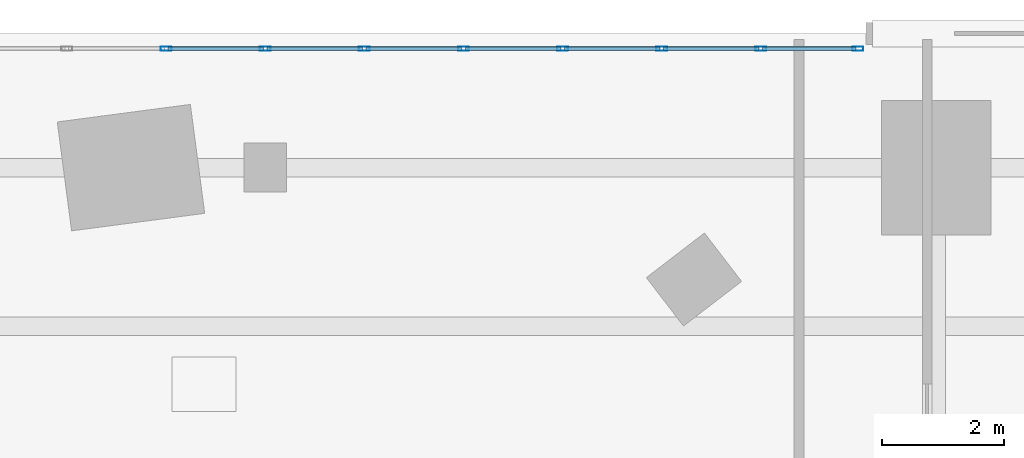
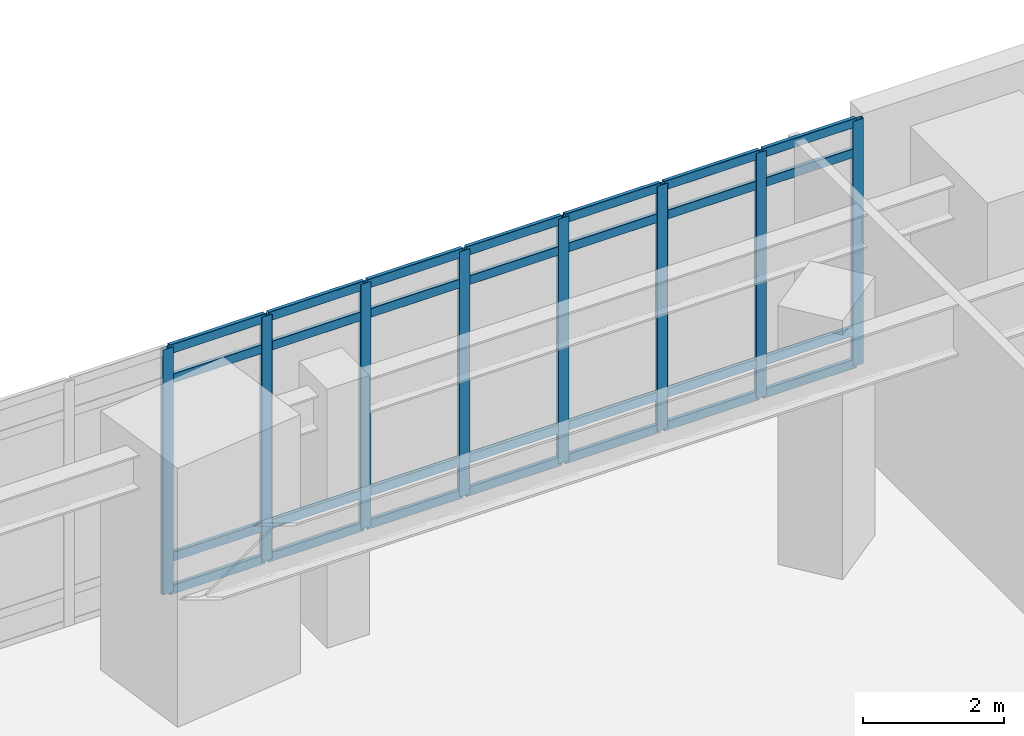
# One storey, part 10 of 20: 36 members, 1 element without a shape of its own.
"""IFC4 building model written with IfcOpenShell, lengths in metres."""

from ifc_helpers import new_model, si_unit, direction, frame, origin, origin_2d, place, context, subcontext, project, spatial, hollow_rectangle, extrude, material, layer, layer_set, material_profile, profile_set, type_object, element, aggregate, save


model = new_model("IFC4")

# Units and contexts
model_context = context("Model", 3, precision=1e-05, world=origin(), true_north=direction((0.0, 1.0)))
body_context = subcontext(model_context, "Body", "Model", "MODEL_VIEW")
ifc_project = project(units=[si_unit("LENGTHUNIT", "METRE"), si_unit("AREAUNIT", "SQUARE_METRE"), si_unit("VOLUMEUNIT", "CUBIC_METRE"), si_unit("PLANEANGLEUNIT", "RADIAN"), si_unit("MASSUNIT", "GRAM", prefix="KILO")], contexts=[model_context])

# Site, building, storey
site_placement = place(None, origin())
site = spatial("IfcSite", under=ifc_project, at=site_placement, CompositionType="ELEMENT")
building_placement = place(site_placement, origin())
building = spatial("IfcBuilding", under=site, at=building_placement, Name="Ndelora Gate Hotel", CompositionType="ELEMENT")
storey_placement = place(building_placement, frame((0.0, 0.0, 26.0)))
storey = spatial("IfcBuildingStorey", under=building, at=storey_placement, Name="L05", CompositionType="ELEMENT", Elevation=26.0)

# Curtain wall, members
ifc_material_1 = material(Name="Bronze Anodised Unitised Aluminium and Low-E Glass", Category="aluminium")
ifc_layer = layer(ifc_material_1, 0.219970703125)
ifc_layer_set = layer_set([ifc_layer], Name="Bronze Anodised Unitised Aluminium and Low-E Glass")
curtain_wall_type = type_object("IfcCurtainWallType", Name="CW-SYS-2", PredefinedType="NOTDEFINED", material=ifc_layer_set)
curtain_wall_placement = place(storey_placement, origin())
curtain_wall = element("IfcCurtainWall", 1, at=curtain_wall_placement, inside=storey, type_object=curtain_wall_type, Name="L05 North Banquet Pre-Function Curtain Wall CW2", PredefinedType="NOTDEFINED")
ifc_material_2 = material(Name="Bronze Anodised Aluminium 6063-T6", Category="aluminium")
ifc_material_profile_1 = material_profile(ifc_material_2, hollow_rectangle(XDim=0.070068359375, YDim=0.179931640625, WallThickness=0.0048828125, InnerFilletRadius=0.0048828125, OuterFilletRadius=0.010009765625, at=origin_2d()), Name="ALU 180x70x5")
ifc_profile_set_1 = profile_set([ifc_material_profile_1], Name="Bronze Anodised Aluminium 6063-T6")
member_type_1 = type_object("IfcMemberType", Name="MB-CW-MUL180", PredefinedType="MULLION", material=ifc_profile_set_1)
member_1_placement = place(storey_placement, frame((9.715087890625, 20.75, -0.00390625), z_axis=(0.0, 0.0, 1.0), x_axis=(0.0, -1.0, 0.0)))
member_1 = element("IfcMember", 2, at=member_1_placement, type_object=member_type_1, Name="CW2 mullion 1", PredefinedType="MULLION", context=body_context, shape_type="SweptSolid", body=[
    extrude(hollow_rectangle(XDim=0.070068359375, YDim=0.179931640625, WallThickness=0.0048828125, InnerFilletRadius=0.0048828125, OuterFilletRadius=0.010009765625, at=origin_2d()), origin(), (0.0, 0.0, 1.0), 4.2578125),
])
member_2_placement = place(storey_placement, frame((8.125, 20.75, -0.00390625), z_axis=(0.0, 0.0, 1.0), x_axis=(0.0, -1.0, 0.0)))
member_2 = element("IfcMember", 3, at=member_2_placement, type_object=member_type_1, Name="CW2 mullion 2", PredefinedType="MULLION", context=body_context, shape_type="SweptSolid", body=[
    extrude(hollow_rectangle(XDim=0.070068359375, YDim=0.179931640625, WallThickness=0.0048828125, InnerFilletRadius=0.0048828125, OuterFilletRadius=0.010009765625, at=origin_2d()), origin(), (0.0, 0.0, 1.0), 4.2578125),
])
member_3_placement = place(storey_placement, frame((6.5, 20.75, -0.00390625), z_axis=(0.0, 0.0, 1.0), x_axis=(0.0, -1.0, 0.0)))
member_3 = element("IfcMember", 4, at=member_3_placement, type_object=member_type_1, Name="CW2 mullion 3", PredefinedType="MULLION", context=body_context, shape_type="SweptSolid", body=[
    extrude(hollow_rectangle(XDim=0.070068359375, YDim=0.179931640625, WallThickness=0.0048828125, InnerFilletRadius=0.0048828125, OuterFilletRadius=0.010009765625, at=origin_2d()), origin(), (0.0, 0.0, 1.0), 4.2578125),
])
member_4_placement = place(storey_placement, frame((4.875, 20.75, -0.00390625), z_axis=(0.0, 0.0, 1.0), x_axis=(0.0, -1.0, 0.0)))
member_4 = element("IfcMember", 5, at=member_4_placement, type_object=member_type_1, Name="CW2 mullion 4", PredefinedType="MULLION", context=body_context, shape_type="SweptSolid", body=[
    extrude(hollow_rectangle(XDim=0.070068359375, YDim=0.179931640625, WallThickness=0.0048828125, InnerFilletRadius=0.0048828125, OuterFilletRadius=0.010009765625, at=origin_2d()), origin(), (0.0, 0.0, 1.0), 4.2578125),
])
member_5_placement = place(storey_placement, frame((3.25, 20.75, -0.00390625), z_axis=(0.0, 0.0, 1.0), x_axis=(0.0, -1.0, 0.0)))
member_5 = element("IfcMember", 6, at=member_5_placement, type_object=member_type_1, Name="CW2 mullion 5", PredefinedType="MULLION", context=body_context, shape_type="SweptSolid", body=[
    extrude(hollow_rectangle(XDim=0.070068359375, YDim=0.179931640625, WallThickness=0.0048828125, InnerFilletRadius=0.0048828125, OuterFilletRadius=0.010009765625, at=origin_2d()), origin(), (0.0, 0.0, 1.0), 4.2578125),
])
member_6_placement = place(storey_placement, frame((1.625, 20.75, -0.00390625), z_axis=(0.0, 0.0, 1.0), x_axis=(0.0, -1.0, 0.0)))
member_6 = element("IfcMember", 7, at=member_6_placement, type_object=member_type_1, Name="CW2 mullion 6", PredefinedType="MULLION", context=body_context, shape_type="SweptSolid", body=[
    extrude(hollow_rectangle(XDim=0.070068359375, YDim=0.179931640625, WallThickness=0.0048828125, InnerFilletRadius=0.0048828125, OuterFilletRadius=0.010009765625, at=origin_2d()), origin(), (0.0, 0.0, 1.0), 4.2578125),
])
member_7_placement = place(storey_placement, frame((0.0, 20.75, -0.00390625), z_axis=(0.0, 0.0, 1.0), x_axis=(0.0, -1.0, 0.0)))
member_7 = element("IfcMember", 8, at=member_7_placement, type_object=member_type_1, Name="CW2 mullion 7", PredefinedType="MULLION", context=body_context, shape_type="SweptSolid", body=[
    extrude(hollow_rectangle(XDim=0.070068359375, YDim=0.179931640625, WallThickness=0.0048828125, InnerFilletRadius=0.0048828125, OuterFilletRadius=0.010009765625, at=origin_2d()), origin(), (0.0, 0.0, 1.0), 4.2578125),
])
member_8_placement = place(storey_placement, frame((-1.625, 20.75, -0.00390625), z_axis=(0.0, 0.0, 1.0), x_axis=(0.0, -1.0, 0.0)))
member_8 = element("IfcMember", 9, at=member_8_placement, type_object=member_type_1, Name="CW2 mullion 8", PredefinedType="MULLION", context=body_context, shape_type="SweptSolid", body=[
    extrude(hollow_rectangle(XDim=0.070068359375, YDim=0.179931640625, WallThickness=0.0048828125, InnerFilletRadius=0.0048828125, OuterFilletRadius=0.010009765625, at=origin_2d()), origin(), (0.0, 0.0, 1.0), 4.2578125),
])
ifc_material_profile_2 = material_profile(ifc_material_2, hollow_rectangle(XDim=0.06494140625, YDim=0.159912109375, WallThickness=0.00390625, InnerFilletRadius=0.00390625, OuterFilletRadius=0.008056640625, at=origin_2d()), Name="ALU 160x65x4")
ifc_profile_set_2 = profile_set([ifc_material_profile_2], Name="Bronze Anodised Aluminium 6063-T6")
member_type_2 = type_object("IfcMemberType", Name="MB-CW-TRN150", PredefinedType="USERDEFINED", material=ifc_profile_set_2)
member_9_placement = place(storey_placement, frame((9.68603515625, 20.75, 0.032470703125), z_axis=(-1.0, 0.0, 0.0), x_axis=(0.0, -1.0, 0.0)))
member_9 = element("IfcMember", 10, at=member_9_placement, type_object=member_type_2, Name="CW2 transom 1.1", ObjectType="TRANSOM", PredefinedType="USERDEFINED", context=body_context, shape_type="SweptSolid", body=[
    extrude(hollow_rectangle(XDim=0.06494140625, YDim=0.159912109375, WallThickness=0.00390625, InnerFilletRadius=0.00390625, OuterFilletRadius=0.008056640625, at=origin_2d()), origin(), (0.0, 0.0, 1.0), 1.531982421875),
])
member_10_placement = place(storey_placement, frame((9.68603515625, 20.75, 0.60009765625), z_axis=(-1.0, 0.0, 0.0), x_axis=(0.0, -1.0, 0.0)))
member_10 = element("IfcMember", 11, at=member_10_placement, type_object=member_type_2, Name="CW2 transom 1.2", ObjectType="TRANSOM", PredefinedType="USERDEFINED", context=body_context, shape_type="SweptSolid", body=[
    extrude(hollow_rectangle(XDim=0.06494140625, YDim=0.159912109375, WallThickness=0.00390625, InnerFilletRadius=0.00390625, OuterFilletRadius=0.008056640625, at=origin_2d()), origin(), (0.0, 0.0, 1.0), 1.531982421875),
])
member_11_placement = place(storey_placement, frame((9.68603515625, 20.75, 3.699951171875), z_axis=(-1.0, 0.0, 0.0), x_axis=(0.0, -1.0, 0.0)))
member_11 = element("IfcMember", 12, at=member_11_placement, type_object=member_type_2, Name="CW2 transom 1.3", ObjectType="TRANSOM", PredefinedType="USERDEFINED", context=body_context, shape_type="SweptSolid", body=[
    extrude(hollow_rectangle(XDim=0.06494140625, YDim=0.159912109375, WallThickness=0.00390625, InnerFilletRadius=0.00390625, OuterFilletRadius=0.008056640625, at=origin_2d()), origin(), (0.0, 0.0, 1.0), 1.531982421875),
])
member_12_placement = place(storey_placement, frame((9.68603515625, 20.75, 4.217529296875), z_axis=(-1.0, 0.0, 0.0), x_axis=(0.0, -1.0, 0.0)))
member_12 = element("IfcMember", 13, at=member_12_placement, type_object=member_type_2, Name="CW2 transom 1.4", ObjectType="TRANSOM", PredefinedType="USERDEFINED", context=body_context, shape_type="SweptSolid", body=[
    extrude(hollow_rectangle(XDim=0.06494140625, YDim=0.159912109375, WallThickness=0.00390625, InnerFilletRadius=0.00390625, OuterFilletRadius=0.008056640625, at=origin_2d()), origin(), (0.0, 0.0, 1.0), 1.531982421875),
])
member_13_placement = place(storey_placement, frame((8.095947265625, 20.75, 0.032470703125), z_axis=(-1.0, 0.0, 0.0), x_axis=(0.0, -1.0, 0.0)))
member_13 = element("IfcMember", 14, at=member_13_placement, type_object=member_type_2, Name="CW2 transom 2.1", ObjectType="TRANSOM", PredefinedType="USERDEFINED", context=body_context, shape_type="SweptSolid", body=[
    extrude(hollow_rectangle(XDim=0.06494140625, YDim=0.159912109375, WallThickness=0.00390625, InnerFilletRadius=0.00390625, OuterFilletRadius=0.008056640625, at=origin_2d()), origin(), (0.0, 0.0, 1.0), 1.56689453125),
])
member_14_placement = place(storey_placement, frame((8.095947265625, 20.75, 0.60009765625), z_axis=(-1.0, 0.0, 0.0), x_axis=(0.0, -1.0, 0.0)))
member_14 = element("IfcMember", 15, at=member_14_placement, type_object=member_type_2, Name="CW2 transom 2.2", ObjectType="TRANSOM", PredefinedType="USERDEFINED", context=body_context, shape_type="SweptSolid", body=[
    extrude(hollow_rectangle(XDim=0.06494140625, YDim=0.159912109375, WallThickness=0.00390625, InnerFilletRadius=0.00390625, OuterFilletRadius=0.008056640625, at=origin_2d()), origin(), (0.0, 0.0, 1.0), 1.56689453125),
])
member_15_placement = place(storey_placement, frame((8.095947265625, 20.75, 3.699951171875), z_axis=(-1.0, 0.0, 0.0), x_axis=(0.0, -1.0, 0.0)))
member_15 = element("IfcMember", 16, at=member_15_placement, type_object=member_type_2, Name="CW2 transom 2.3", ObjectType="TRANSOM", PredefinedType="USERDEFINED", context=body_context, shape_type="SweptSolid", body=[
    extrude(hollow_rectangle(XDim=0.06494140625, YDim=0.159912109375, WallThickness=0.00390625, InnerFilletRadius=0.00390625, OuterFilletRadius=0.008056640625, at=origin_2d()), origin(), (0.0, 0.0, 1.0), 1.56689453125),
])
member_16_placement = place(storey_placement, frame((8.095947265625, 20.75, 4.217529296875), z_axis=(-1.0, 0.0, 0.0), x_axis=(0.0, -1.0, 0.0)))
member_16 = element("IfcMember", 17, at=member_16_placement, type_object=member_type_2, Name="CW2 transom 2.4", ObjectType="TRANSOM", PredefinedType="USERDEFINED", context=body_context, shape_type="SweptSolid", body=[
    extrude(hollow_rectangle(XDim=0.06494140625, YDim=0.159912109375, WallThickness=0.00390625, InnerFilletRadius=0.00390625, OuterFilletRadius=0.008056640625, at=origin_2d()), origin(), (0.0, 0.0, 1.0), 1.56689453125),
])
member_17_placement = place(storey_placement, frame((6.470947265625, 20.75, 0.032470703125), z_axis=(-1.0, 0.0, 0.0), x_axis=(0.0, -1.0, 0.0)))
member_17 = element("IfcMember", 18, at=member_17_placement, type_object=member_type_2, Name="CW2 transom 3.1", ObjectType="TRANSOM", PredefinedType="USERDEFINED", context=body_context, shape_type="SweptSolid", body=[
    extrude(hollow_rectangle(XDim=0.06494140625, YDim=0.159912109375, WallThickness=0.00390625, InnerFilletRadius=0.00390625, OuterFilletRadius=0.008056640625, at=origin_2d()), origin(), (0.0, 0.0, 1.0), 1.56689453125),
])
member_18_placement = place(storey_placement, frame((6.470947265625, 20.75, 0.60009765625), z_axis=(-1.0, 0.0, 0.0), x_axis=(0.0, -1.0, 0.0)))
member_18 = element("IfcMember", 19, at=member_18_placement, type_object=member_type_2, Name="CW2 transom 3.2", ObjectType="TRANSOM", PredefinedType="USERDEFINED", context=body_context, shape_type="SweptSolid", body=[
    extrude(hollow_rectangle(XDim=0.06494140625, YDim=0.159912109375, WallThickness=0.00390625, InnerFilletRadius=0.00390625, OuterFilletRadius=0.008056640625, at=origin_2d()), origin(), (0.0, 0.0, 1.0), 1.56689453125),
])
member_19_placement = place(storey_placement, frame((6.470947265625, 20.75, 3.699951171875), z_axis=(-1.0, 0.0, 0.0), x_axis=(0.0, -1.0, 0.0)))
member_19 = element("IfcMember", 20, at=member_19_placement, type_object=member_type_2, Name="CW2 transom 3.3", ObjectType="TRANSOM", PredefinedType="USERDEFINED", context=body_context, shape_type="SweptSolid", body=[
    extrude(hollow_rectangle(XDim=0.06494140625, YDim=0.159912109375, WallThickness=0.00390625, InnerFilletRadius=0.00390625, OuterFilletRadius=0.008056640625, at=origin_2d()), origin(), (0.0, 0.0, 1.0), 1.56689453125),
])
member_20_placement = place(storey_placement, frame((6.470947265625, 20.75, 4.217529296875), z_axis=(-1.0, 0.0, 0.0), x_axis=(0.0, -1.0, 0.0)))
member_20 = element("IfcMember", 21, at=member_20_placement, type_object=member_type_2, Name="CW2 transom 3.4", ObjectType="TRANSOM", PredefinedType="USERDEFINED", context=body_context, shape_type="SweptSolid", body=[
    extrude(hollow_rectangle(XDim=0.06494140625, YDim=0.159912109375, WallThickness=0.00390625, InnerFilletRadius=0.00390625, OuterFilletRadius=0.008056640625, at=origin_2d()), origin(), (0.0, 0.0, 1.0), 1.56689453125),
])
member_21_placement = place(storey_placement, frame((4.845947265625, 20.75, 0.032470703125), z_axis=(-1.0, 0.0, 0.0), x_axis=(0.0, -1.0, 0.0)))
member_21 = element("IfcMember", 22, at=member_21_placement, type_object=member_type_2, Name="CW2 transom 4.1", ObjectType="TRANSOM", PredefinedType="USERDEFINED", context=body_context, shape_type="SweptSolid", body=[
    extrude(hollow_rectangle(XDim=0.06494140625, YDim=0.159912109375, WallThickness=0.00390625, InnerFilletRadius=0.00390625, OuterFilletRadius=0.008056640625, at=origin_2d()), origin(), (0.0, 0.0, 1.0), 1.56689453125),
])
member_22_placement = place(storey_placement, frame((4.845947265625, 20.75, 0.60009765625), z_axis=(-1.0, 0.0, 0.0), x_axis=(0.0, -1.0, 0.0)))
member_22 = element("IfcMember", 23, at=member_22_placement, type_object=member_type_2, Name="CW2 transom 4.2", ObjectType="TRANSOM", PredefinedType="USERDEFINED", context=body_context, shape_type="SweptSolid", body=[
    extrude(hollow_rectangle(XDim=0.06494140625, YDim=0.159912109375, WallThickness=0.00390625, InnerFilletRadius=0.00390625, OuterFilletRadius=0.008056640625, at=origin_2d()), origin(), (0.0, 0.0, 1.0), 1.56689453125),
])
member_23_placement = place(storey_placement, frame((4.845947265625, 20.75, 3.699951171875), z_axis=(-1.0, 0.0, 0.0), x_axis=(0.0, -1.0, 0.0)))
member_23 = element("IfcMember", 24, at=member_23_placement, type_object=member_type_2, Name="CW2 transom 4.3", ObjectType="TRANSOM", PredefinedType="USERDEFINED", context=body_context, shape_type="SweptSolid", body=[
    extrude(hollow_rectangle(XDim=0.06494140625, YDim=0.159912109375, WallThickness=0.00390625, InnerFilletRadius=0.00390625, OuterFilletRadius=0.008056640625, at=origin_2d()), origin(), (0.0, 0.0, 1.0), 1.56689453125),
])
member_24_placement = place(storey_placement, frame((4.845947265625, 20.75, 4.217529296875), z_axis=(-1.0, 0.0, 0.0), x_axis=(0.0, -1.0, 0.0)))
member_24 = element("IfcMember", 25, at=member_24_placement, type_object=member_type_2, Name="CW2 transom 4.4", ObjectType="TRANSOM", PredefinedType="USERDEFINED", context=body_context, shape_type="SweptSolid", body=[
    extrude(hollow_rectangle(XDim=0.06494140625, YDim=0.159912109375, WallThickness=0.00390625, InnerFilletRadius=0.00390625, OuterFilletRadius=0.008056640625, at=origin_2d()), origin(), (0.0, 0.0, 1.0), 1.56689453125),
])
member_25_placement = place(storey_placement, frame((3.220947265625, 20.75, 0.032470703125), z_axis=(-1.0, 0.0, 0.0), x_axis=(0.0, -1.0, 0.0)))
member_25 = element("IfcMember", 26, at=member_25_placement, type_object=member_type_2, Name="CW2 transom 5.1", ObjectType="TRANSOM", PredefinedType="USERDEFINED", context=body_context, shape_type="SweptSolid", body=[
    extrude(hollow_rectangle(XDim=0.06494140625, YDim=0.159912109375, WallThickness=0.00390625, InnerFilletRadius=0.00390625, OuterFilletRadius=0.008056640625, at=origin_2d()), origin(), (0.0, 0.0, 1.0), 1.56689453125),
])
member_26_placement = place(storey_placement, frame((3.220947265625, 20.75, 0.60009765625), z_axis=(-1.0, 0.0, 0.0), x_axis=(0.0, -1.0, 0.0)))
member_26 = element("IfcMember", 27, at=member_26_placement, type_object=member_type_2, Name="CW2 transom 5.2", ObjectType="TRANSOM", PredefinedType="USERDEFINED", context=body_context, shape_type="SweptSolid", body=[
    extrude(hollow_rectangle(XDim=0.06494140625, YDim=0.159912109375, WallThickness=0.00390625, InnerFilletRadius=0.00390625, OuterFilletRadius=0.008056640625, at=origin_2d()), origin(), (0.0, 0.0, 1.0), 1.56689453125),
])
member_27_placement = place(storey_placement, frame((3.220947265625, 20.75, 3.699951171875), z_axis=(-1.0, 0.0, 0.0), x_axis=(0.0, -1.0, 0.0)))
member_27 = element("IfcMember", 28, at=member_27_placement, type_object=member_type_2, Name="CW2 transom 5.3", ObjectType="TRANSOM", PredefinedType="USERDEFINED", context=body_context, shape_type="SweptSolid", body=[
    extrude(hollow_rectangle(XDim=0.06494140625, YDim=0.159912109375, WallThickness=0.00390625, InnerFilletRadius=0.00390625, OuterFilletRadius=0.008056640625, at=origin_2d()), origin(), (0.0, 0.0, 1.0), 1.56689453125),
])
member_28_placement = place(storey_placement, frame((3.220947265625, 20.75, 4.217529296875), z_axis=(-1.0, 0.0, 0.0), x_axis=(0.0, -1.0, 0.0)))
member_28 = element("IfcMember", 29, at=member_28_placement, type_object=member_type_2, Name="CW2 transom 5.4", ObjectType="TRANSOM", PredefinedType="USERDEFINED", context=body_context, shape_type="SweptSolid", body=[
    extrude(hollow_rectangle(XDim=0.06494140625, YDim=0.159912109375, WallThickness=0.00390625, InnerFilletRadius=0.00390625, OuterFilletRadius=0.008056640625, at=origin_2d()), origin(), (0.0, 0.0, 1.0), 1.56689453125),
])
member_29_placement = place(storey_placement, frame((1.595947265625, 20.75, 0.032470703125), z_axis=(-1.0, 0.0, 0.0), x_axis=(0.0, -1.0, 0.0)))
member_29 = element("IfcMember", 30, at=member_29_placement, type_object=member_type_2, Name="CW2 transom 6.1", ObjectType="TRANSOM", PredefinedType="USERDEFINED", context=body_context, shape_type="SweptSolid", body=[
    extrude(hollow_rectangle(XDim=0.06494140625, YDim=0.159912109375, WallThickness=0.00390625, InnerFilletRadius=0.00390625, OuterFilletRadius=0.008056640625, at=origin_2d()), origin(), (0.0, 0.0, 1.0), 1.56689453125),
])
member_30_placement = place(storey_placement, frame((1.595947265625, 20.75, 0.60009765625), z_axis=(-1.0, 0.0, 0.0), x_axis=(0.0, -1.0, 0.0)))
member_30 = element("IfcMember", 31, at=member_30_placement, type_object=member_type_2, Name="CW2 transom 6.2", ObjectType="TRANSOM", PredefinedType="USERDEFINED", context=body_context, shape_type="SweptSolid", body=[
    extrude(hollow_rectangle(XDim=0.06494140625, YDim=0.159912109375, WallThickness=0.00390625, InnerFilletRadius=0.00390625, OuterFilletRadius=0.008056640625, at=origin_2d()), origin(), (0.0, 0.0, 1.0), 1.56689453125),
])
member_31_placement = place(storey_placement, frame((1.595947265625, 20.75, 3.699951171875), z_axis=(-1.0, 0.0, 0.0), x_axis=(0.0, -1.0, 0.0)))
member_31 = element("IfcMember", 32, at=member_31_placement, type_object=member_type_2, Name="CW2 transom 6.3", ObjectType="TRANSOM", PredefinedType="USERDEFINED", context=body_context, shape_type="SweptSolid", body=[
    extrude(hollow_rectangle(XDim=0.06494140625, YDim=0.159912109375, WallThickness=0.00390625, InnerFilletRadius=0.00390625, OuterFilletRadius=0.008056640625, at=origin_2d()), origin(), (0.0, 0.0, 1.0), 1.56689453125),
])
member_32_placement = place(storey_placement, frame((1.595947265625, 20.75, 4.217529296875), z_axis=(-1.0, 0.0, 0.0), x_axis=(0.0, -1.0, 0.0)))
member_32 = element("IfcMember", 33, at=member_32_placement, type_object=member_type_2, Name="CW2 transom 6.4", ObjectType="TRANSOM", PredefinedType="USERDEFINED", context=body_context, shape_type="SweptSolid", body=[
    extrude(hollow_rectangle(XDim=0.06494140625, YDim=0.159912109375, WallThickness=0.00390625, InnerFilletRadius=0.00390625, OuterFilletRadius=0.008056640625, at=origin_2d()), origin(), (0.0, 0.0, 1.0), 1.56689453125),
])
member_33_placement = place(storey_placement, frame((-0.029052734375, 20.75, 0.032470703125), z_axis=(-1.0, 0.0, 0.0), x_axis=(0.0, -1.0, 0.0)))
member_33 = element("IfcMember", 34, at=member_33_placement, type_object=member_type_2, Name="CW2 transom 7.1", ObjectType="TRANSOM", PredefinedType="USERDEFINED", context=body_context, shape_type="SweptSolid", body=[
    extrude(hollow_rectangle(XDim=0.06494140625, YDim=0.159912109375, WallThickness=0.00390625, InnerFilletRadius=0.00390625, OuterFilletRadius=0.008056640625, at=origin_2d()), origin(), (0.0, 0.0, 1.0), 1.56689453125),
])
member_34_placement = place(storey_placement, frame((-0.029052734375, 20.75, 0.60009765625), z_axis=(-1.0, 0.0, 0.0), x_axis=(0.0, -1.0, 0.0)))
member_34 = element("IfcMember", 35, at=member_34_placement, type_object=member_type_2, Name="CW2 transom 7.2", ObjectType="TRANSOM", PredefinedType="USERDEFINED", context=body_context, shape_type="SweptSolid", body=[
    extrude(hollow_rectangle(XDim=0.06494140625, YDim=0.159912109375, WallThickness=0.00390625, InnerFilletRadius=0.00390625, OuterFilletRadius=0.008056640625, at=origin_2d()), origin(), (0.0, 0.0, 1.0), 1.56689453125),
])
member_35_placement = place(storey_placement, frame((-0.029052734375, 20.75, 3.699951171875), z_axis=(-1.0, 0.0, 0.0), x_axis=(0.0, -1.0, 0.0)))
member_35 = element("IfcMember", 36, at=member_35_placement, type_object=member_type_2, Name="CW2 transom 7.3", ObjectType="TRANSOM", PredefinedType="USERDEFINED", context=body_context, shape_type="SweptSolid", body=[
    extrude(hollow_rectangle(XDim=0.06494140625, YDim=0.159912109375, WallThickness=0.00390625, InnerFilletRadius=0.00390625, OuterFilletRadius=0.008056640625, at=origin_2d()), origin(), (0.0, 0.0, 1.0), 1.56689453125),
])
member_36_placement = place(storey_placement, frame((-0.029052734375, 20.75, 4.217529296875), z_axis=(-1.0, 0.0, 0.0), x_axis=(0.0, -1.0, 0.0)))
member_36 = element("IfcMember", 37, at=member_36_placement, type_object=member_type_2, Name="CW2 transom 7.4", ObjectType="TRANSOM", PredefinedType="USERDEFINED", context=body_context, shape_type="SweptSolid", body=[
    extrude(hollow_rectangle(XDim=0.06494140625, YDim=0.159912109375, WallThickness=0.00390625, InnerFilletRadius=0.00390625, OuterFilletRadius=0.008056640625, at=origin_2d()), origin(), (0.0, 0.0, 1.0), 1.56689453125),
])
aggregate(curtain_wall, [member_1, member_2, member_3, member_4, member_5, member_6, member_7, member_8, member_9, member_10, member_11, member_12, member_13, member_14, member_15, member_16, member_17, member_18, member_19, member_20, member_21, member_22, member_23, member_24, member_25, member_26, member_27, member_28, member_29, member_30, member_31, member_32, member_33, member_34, member_35, member_36])

save(model, "model.ifc")
